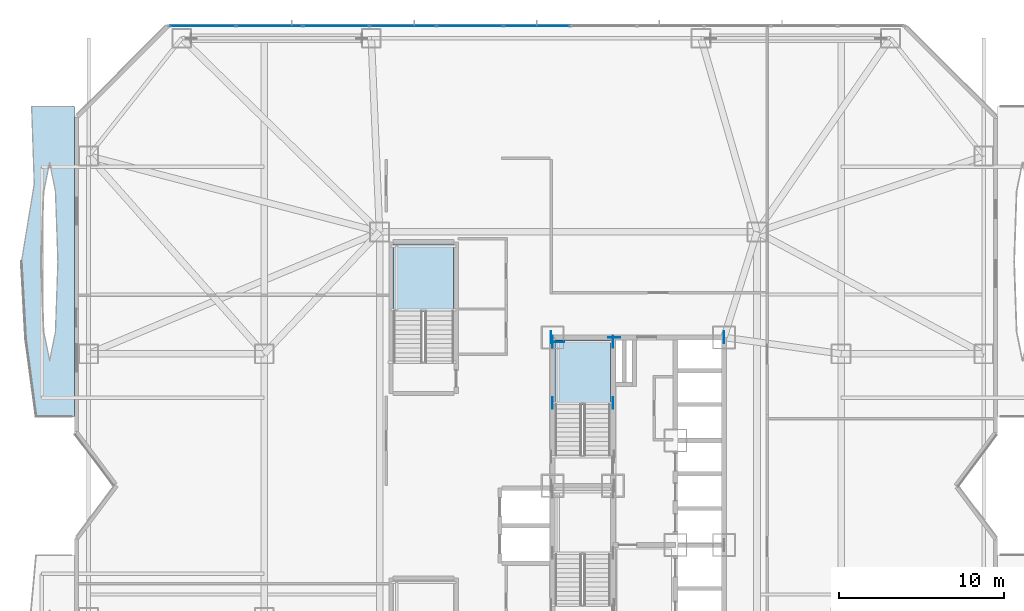
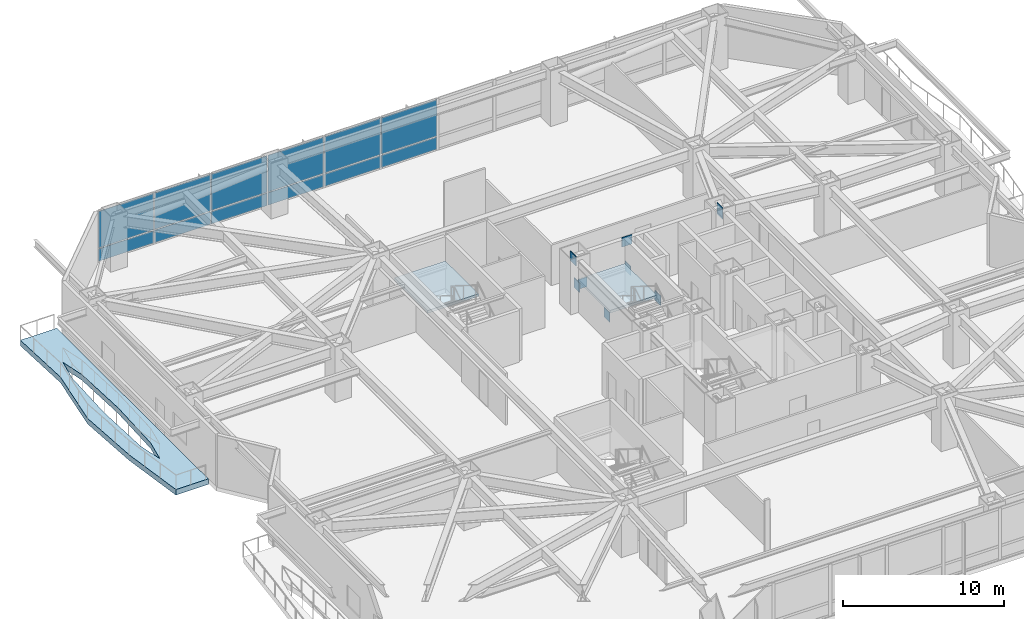
# One storey, part 19 of 32: 21 plates, 3 slabs, 3 elements without a shape of their own.
"""IFC4 building model written with IfcOpenShell, lengths in metres."""

import ifcopenshell
import ifcopenshell.guid

model = None  # the IFC model being written
_history = None  # IfcOwnerHistory: only IFC2X3 demands one
_inside = {}  # id of a spatial element -> (the spatial element, [elements in it])
_under = {}  # id of a project, library or spatial element -> (it, [spatial elements below it])
_declared = {}  # id of a project -> (the project, [libraries it declares])
_typed = {}  # id of a type object -> (the type object, [elements of that type])
_made_of = {}  # id of a material, layer set ... -> (it, [elements and type objects made of it])


def new_model(schema):
    """Start an empty IFC model of exactly this schema.

    Asked for "IFC4X3", IfcOpenShell would pick the latest addendum, in which some entities
    have other attributes; the version numbers below select the first issue.
    IFC2X3 requires an IfcOwnerHistory on every rooted entity: one is made here for all.
    """
    global model, _history
    if schema == "IFC4X3":
        model = ifcopenshell.file(schema_version=(4, 3, 0, 0))
    else:
        model = ifcopenshell.file(schema=schema)
    _inside.clear()
    _under.clear()
    _declared.clear()
    _typed.clear()
    _made_of.clear()
    _history = None
    if model.schema == "IFC2X3":
        org = make("IfcOrganization", Name="unknown")
        user = make(
            "IfcPersonAndOrganization",
            ThePerson=make("IfcPerson", FamilyName="unknown"),
            TheOrganization=org,
        )
        app = make(
            "IfcApplication",
            ApplicationDeveloper=org,
            Version="unknown",
            ApplicationFullName="unknown",
            ApplicationIdentifier="unknown",
        )
        _history = make(
            "IfcOwnerHistory",
            OwningUser=user,
            OwningApplication=app,
            ChangeAction="ADDED",
            CreationDate=0,
        )
    return model


def make(cls, **values):
    """One entity of the class cls with the attributes given. An attribute that is None is left unset."""
    return model.create_entity(
        cls, **{name: value for name, value in values.items() if value is not None}
    )


def rooted(cls, **values):
    """An entity with a GlobalId (a new one), such as an element, a storey or a relation."""
    return make(cls, GlobalId=ifcopenshell.guid.new(), OwnerHistory=_history, **values)


def si_unit(unit_type, name, prefix=None):
    """IfcSIUnit, for example si_unit("LENGTHUNIT", "METRE", prefix="MILLI")."""
    return make("IfcSIUnit", UnitType=unit_type, Prefix=prefix, Name=name)


def assignment(units):
    """IfcUnitAssignment: the units of a project."""
    return None if units is None else make("IfcUnitAssignment", Units=units)


def point(xyz):
    """IfcCartesianPoint."""
    return None if xyz is None else make("IfcCartesianPoint", Coordinates=xyz)


def direction(xyz):
    """IfcDirection."""
    return None if xyz is None else make("IfcDirection", DirectionRatios=xyz)


def frame(location, z_axis=None, x_axis=None):
    """IfcAxis2Placement3D, a coordinate frame: its origin and axes. An axis left out is left unset."""
    return make(
        "IfcAxis2Placement3D",
        Location=point(location),
        Axis=direction(z_axis),
        RefDirection=direction(x_axis),
    )


def frame_2d(location, x_axis=None):
    """IfcAxis2Placement2D, a coordinate frame in the plane: its origin and x axis."""
    return make(
        "IfcAxis2Placement2D", Location=point(location), RefDirection=direction(x_axis)
    )


def origin():
    """The frame at (0, 0, 0) with its axes left unset."""
    return frame((0.0, 0.0, 0.0))


def origin_2d():
    """The frame at (0, 0) in the plane with its x axis left unset."""
    return frame_2d((0.0, 0.0))


def place(relative_to, where):
    """IfcLocalPlacement: puts the frame where relative to a parent placement (None: the world)."""
    return make(
        "IfcLocalPlacement", PlacementRelTo=relative_to, RelativePlacement=where
    )


def context(
    kind, dimensions, precision=None, world=None, true_north=None, identifier=None
):
    """IfcGeometricRepresentationContext, for example the 3D "Model" context."""
    return make(
        "IfcGeometricRepresentationContext",
        ContextIdentifier=identifier,
        ContextType=kind,
        CoordinateSpaceDimension=dimensions,
        Precision=precision,
        WorldCoordinateSystem=world,
        TrueNorth=true_north,
    )


def subcontext(parent, identifier, kind, view, scale=None):
    """IfcGeometricRepresentationSubContext, for example "Body" below "Model"."""
    return make(
        "IfcGeometricRepresentationSubContext",
        ContextIdentifier=identifier,
        ContextType=kind,
        ParentContext=parent,
        TargetScale=scale,
        TargetView=view,
    )


def project(units=None, contexts=None):
    """IfcProject with its units and contexts."""
    return rooted(
        "IfcProject",
        Name="project",
        RepresentationContexts=contexts,
        UnitsInContext=assignment(units),
    )


def spatial(cls, under=None, at=None, **own):
    """A site, building, storey or space (cls), placed at a placement, below another one or the project."""
    s = rooted(cls, ObjectPlacement=at, **own)
    if under is not None:
        _under.setdefault(under.id(), (under, []))[1].append(s)
    return s


def polyline(points):
    """IfcPolyline through the points."""
    return make("IfcPolyline", Points=[point(p) for p in points])


def profile(cls, at=None, kind="AREA", **sizes):
    """A parametric profile (cls). Its sizes go by their IFC names, for example OverallWidth=200.0."""
    return make(cls, ProfileType=kind, Position=at, **sizes)


def rectangle(**sizes):
    """IfcRectangleProfileDef."""
    return profile("IfcRectangleProfileDef", **sizes)


def outline(outer, holes=None, kind="AREA"):
    """IfcArbitraryClosedProfileDef: a profile drawn as a closed curve; with holes, ...WithVoids."""
    if holes is None:
        return make("IfcArbitraryClosedProfileDef", ProfileType=kind, OuterCurve=outer)
    return make(
        "IfcArbitraryProfileDefWithVoids",
        ProfileType=kind,
        OuterCurve=outer,
        InnerCurves=holes,
    )


def extrude(swept, where, along, depth):
    """IfcExtrudedAreaSolid: the profile swept, set in the frame where, extruded along a direction by depth."""
    return make(
        "IfcExtrudedAreaSolid",
        SweptArea=swept,
        Position=where,
        ExtrudedDirection=direction(along),
        Depth=depth,
    )


def shape(context_of_items, identifier, shape_type, items):
    """IfcShapeRepresentation: the items that make up one representation, for example the "Body"."""
    return make(
        "IfcShapeRepresentation",
        ContextOfItems=context_of_items,
        RepresentationIdentifier=identifier,
        RepresentationType=shape_type,
        Items=items,
    )


def material(Name=None, Category=None):
    """IfcMaterial."""
    return make("IfcMaterial", Name=Name, Category=Category)


def layer(
    of_material, thickness, ventilated=None, Name=None, Category=None, Priority=None
):
    """IfcMaterialLayer: one layer of a wall or slab, of a material (None: an air gap)."""
    return make(
        "IfcMaterialLayer",
        Material=of_material,
        LayerThickness=thickness,
        IsVentilated=ventilated,
        Name=Name,
        Category=Category,
        Priority=Priority,
    )


def layer_set(layers, Name=None):
    """IfcMaterialLayerSet."""
    return make("IfcMaterialLayerSet", MaterialLayers=layers, LayerSetName=Name)


def made_of(thing, what):
    """Note that an element or type object is made of a material, layer set ...; save() writes the relation."""
    if what is not None:
        _made_of.setdefault(what.id(), (what, []))[1].append(thing)
    return thing


def type_object(cls, material=None, **own):
    """A type object (cls), such as IfcWallType, which elements share."""
    return made_of(rooted(cls, **own), material)


def element(
    cls,
    number,
    at=None,
    inside=None,
    cuts=None,
    type_object=None,
    material=None,
    context=None,
    identifier="Body",
    shape_type=None,
    held_by="IfcProductDefinitionShape",
    body=None,
    shapes=None,
    **own,
):
    """One element of the class cls, such as IfcWall. Its Tag is "e" and its number.

    at: its placement. inside: the storey or other place that contains it. cuts: it is an
    opening in that element (IfcRelVoidsElement). A single representation is given by context,
    identifier, shape_type and body (its items); several are given by shapes. held_by: the class
    of the entity that holds the representations. save() writes the other relations.
    """
    e = rooted(cls, Tag="e%d" % number, ObjectPlacement=at, **own)
    if body is not None:
        shapes = [shape(context, identifier, shape_type, body)]
    if shapes is not None:
        e.Representation = make(held_by, Representations=shapes)
    if inside is not None:
        _inside.setdefault(inside.id(), (inside, []))[1].append(e)
    if cuts is not None:
        rooted(
            "IfcRelVoidsElement", RelatingBuildingElement=cuts, RelatedOpeningElement=e
        )
    if type_object is not None:
        _typed.setdefault(type_object.id(), (type_object, []))[1].append(e)
    return made_of(e, material)


def aggregate(whole, parts):
    """IfcRelAggregates: a whole, such as a stair, and the parts it consists of."""
    return rooted("IfcRelAggregates", RelatingObject=whole, RelatedObjects=parts)


def save(model, path):
    """Write the relations noted so far, then the file.

    IfcRelAggregates (storeys below a building ...), IfcRelContainedInSpatialStructure (elements
    in a storey), IfcRelDefinesByType, IfcRelAssociatesMaterial and IfcRelDeclares: one each for
    every whole, place, type object, material and project.
    """
    for whole, parts in _under.values():
        aggregate(whole, parts)
    for where, things in _inside.values():
        rooted(
            "IfcRelContainedInSpatialStructure",
            RelatedElements=things,
            RelatingStructure=where,
        )
    for kind, things in _typed.values():
        rooted("IfcRelDefinesByType", RelatedObjects=things, RelatingType=kind)
    for what, things in _made_of.values():
        rooted("IfcRelAssociatesMaterial", RelatedObjects=things, RelatingMaterial=what)
    for by, libraries in _declared.values():
        rooted("IfcRelDeclares", RelatingContext=by, RelatedDefinitions=libraries)
    model.write(path)


model = new_model("IFC4")

# Units and contexts
model_context = context("Model", 3, precision=1e-05, world=origin(), true_north=direction((0.0, 1.0)))
body_context = subcontext(model_context, "Body", "Model", "MODEL_VIEW")
ifc_project = project(units=[si_unit("LENGTHUNIT", "METRE"), si_unit("AREAUNIT", "SQUARE_METRE"), si_unit("VOLUMEUNIT", "CUBIC_METRE"), si_unit("PLANEANGLEUNIT", "RADIAN"), si_unit("MASSUNIT", "GRAM", prefix="KILO")], contexts=[model_context])

# Site, building, storey
site_placement = place(None, origin())
site = spatial("IfcSite", under=ifc_project, at=site_placement, CompositionType="ELEMENT")
building_placement = place(site_placement, origin())
building = spatial("IfcBuilding", under=site, at=building_placement, Name="Khamvora Tower", CompositionType="ELEMENT")
storey_placement = place(building_placement, frame((0.0, 0.0, 12.0)))
storey = spatial("IfcBuildingStorey", under=building, at=storey_placement, Name="L02", CompositionType="ELEMENT", Elevation=12.0)

# Curtain wall, plates
ifc_material_1 = material(Name="Anodised Aluminium 6063-T6", Category="aluminium")
curtain_wall_type = type_object("IfcCurtainWallType", Name="CW-SYS-01", PredefinedType="NOTDEFINED", material=ifc_material_1)
curtain_wall_placement = place(storey_placement, origin())
curtain_wall = element("IfcCurtainWall", 1, at=curtain_wall_placement, inside=storey, type_object=curtain_wall_type, Name="L02 stick curtain wall 07.1", PredefinedType="NOTDEFINED")
ifc_material_2 = material(Name="Low-E Laminated Double Glazing", Category="glass")
ifc_layer_1 = layer(ifc_material_2, 0.035888671875)
ifc_layer_set_1 = layer_set([ifc_layer_1], Name="Low-E Laminated Double Glazing")
plate_type_1 = type_object("IfcPlateType", Name="CW-SYS-01-PNL", PredefinedType="CURTAIN_PANEL", material=ifc_layer_set_1)
plate_1_placement = place(storey_placement, frame((7.774169921875, 55.8798828125, 0.074951171875), z_axis=(0.0, 0.0, 1.0), x_axis=(1.0, 0.0, 0.0)))
plate_1 = element("IfcPlate", 2, at=plate_1_placement, type_object=plate_type_1, Name="CW-01 panel 1.1", PredefinedType="CURTAIN_PANEL", context=body_context, shape_type="SweptSolid", body=[
    extrude(rectangle(XDim=3.944091796875, YDim=0.035888671875, at=origin_2d()), origin(), (0.0, 0.0, 1.0), 0.9375),
])
plate_2_placement = place(storey_placement, frame((7.774169921875, 55.8798828125, 1.08740234375), z_axis=(0.0, 0.0, 1.0), x_axis=(1.0, 0.0, 0.0)))
plate_2 = element("IfcPlate", 3, at=plate_2_placement, type_object=plate_type_1, Name="CW-01 panel 1.2", PredefinedType="CURTAIN_PANEL", context=body_context, shape_type="SweptSolid", body=[
    extrude(rectangle(XDim=3.944091796875, YDim=0.035888671875, at=origin_2d()), origin(), (0.0, 0.0, 1.0), 2.757568359375),
])
plate_3_placement = place(storey_placement, frame((11.81201171875, 55.8798828125, 0.074951171875), z_axis=(0.0, 0.0, 1.0), x_axis=(1.0, 0.0, 0.0)))
plate_3 = element("IfcPlate", 4, at=plate_3_placement, type_object=plate_type_1, Name="CW-01 panel 2.1", PredefinedType="CURTAIN_PANEL", context=body_context, shape_type="SweptSolid", body=[
    extrude(rectangle(XDim=3.981689453125, YDim=0.035888671875, at=origin_2d()), origin(), (0.0, 0.0, 1.0), 0.9375),
])
plate_4_placement = place(storey_placement, frame((11.81201171875, 55.8798828125, 1.08740234375), z_axis=(0.0, 0.0, 1.0), x_axis=(1.0, 0.0, 0.0)))
plate_4 = element("IfcPlate", 5, at=plate_4_placement, type_object=plate_type_1, Name="CW-01 panel 2.2", PredefinedType="CURTAIN_PANEL", context=body_context, shape_type="SweptSolid", body=[
    extrude(rectangle(XDim=3.981689453125, YDim=0.035888671875, at=origin_2d()), origin(), (0.0, 0.0, 1.0), 2.757568359375),
])
plate_5_placement = place(storey_placement, frame((15.86865234375, 55.8798828125, 0.074951171875), z_axis=(0.0, 0.0, 1.0), x_axis=(1.0, 0.0, 0.0)))
plate_5 = element("IfcPlate", 6, at=plate_5_placement, type_object=plate_type_1, Name="CW-01 panel 3.1", PredefinedType="CURTAIN_PANEL", context=body_context, shape_type="SweptSolid", body=[
    extrude(rectangle(XDim=3.981689453125, YDim=0.035888671875, at=origin_2d()), origin(), (0.0, 0.0, 1.0), 0.9375),
])
plate_6_placement = place(storey_placement, frame((15.86865234375, 55.8798828125, 1.08740234375), z_axis=(0.0, 0.0, 1.0), x_axis=(1.0, 0.0, 0.0)))
plate_6 = element("IfcPlate", 7, at=plate_6_placement, type_object=plate_type_1, Name="CW-01 panel 3.2", PredefinedType="CURTAIN_PANEL", context=body_context, shape_type="SweptSolid", body=[
    extrude(rectangle(XDim=3.981689453125, YDim=0.035888671875, at=origin_2d()), origin(), (0.0, 0.0, 1.0), 2.757568359375),
])
plate_7_placement = place(storey_placement, frame((19.92529296875, 55.8798828125, 0.074951171875), z_axis=(0.0, 0.0, 1.0), x_axis=(1.0, 0.0, 0.0)))
plate_7 = element("IfcPlate", 8, at=plate_7_placement, type_object=plate_type_1, Name="CW-01 panel 4.1", PredefinedType="CURTAIN_PANEL", context=body_context, shape_type="SweptSolid", body=[
    extrude(rectangle(XDim=3.981689453125, YDim=0.035888671875, at=origin_2d()), origin(), (0.0, 0.0, 1.0), 0.9375),
])
plate_8_placement = place(storey_placement, frame((19.92529296875, 55.8798828125, 1.08740234375), z_axis=(0.0, 0.0, 1.0), x_axis=(1.0, 0.0, 0.0)))
plate_8 = element("IfcPlate", 9, at=plate_8_placement, type_object=plate_type_1, Name="CW-01 panel 4.2", PredefinedType="CURTAIN_PANEL", context=body_context, shape_type="SweptSolid", body=[
    extrude(rectangle(XDim=3.981689453125, YDim=0.035888671875, at=origin_2d()), origin(), (0.0, 0.0, 1.0), 2.757568359375),
])
plate_9_placement = place(storey_placement, frame((23.98193359375, 55.8798828125, 0.074951171875), z_axis=(0.0, 0.0, 1.0), x_axis=(1.0, 0.0, 0.0)))
plate_9 = element("IfcPlate", 10, at=plate_9_placement, type_object=plate_type_1, Name="CW-01 panel 5.1", PredefinedType="CURTAIN_PANEL", context=body_context, shape_type="SweptSolid", body=[
    extrude(rectangle(XDim=3.981689453125, YDim=0.035888671875, at=origin_2d()), origin(), (0.0, 0.0, 1.0), 0.9375),
])
plate_10_placement = place(storey_placement, frame((23.98193359375, 55.8798828125, 1.08740234375), z_axis=(0.0, 0.0, 1.0), x_axis=(1.0, 0.0, 0.0)))
plate_10 = element("IfcPlate", 11, at=plate_10_placement, type_object=plate_type_1, Name="CW-01 panel 5.2", PredefinedType="CURTAIN_PANEL", context=body_context, shape_type="SweptSolid", body=[
    extrude(rectangle(XDim=3.981689453125, YDim=0.035888671875, at=origin_2d()), origin(), (0.0, 0.0, 1.0), 2.757568359375),
])
plate_11_placement = place(storey_placement, frame((28.03857421875, 55.8798828125, 0.074951171875), z_axis=(0.0, 0.0, 1.0), x_axis=(1.0, 0.0, 0.0)))
plate_11 = element("IfcPlate", 12, at=plate_11_placement, type_object=plate_type_1, Name="CW-01 panel 6.1", PredefinedType="CURTAIN_PANEL", context=body_context, shape_type="SweptSolid", body=[
    extrude(rectangle(XDim=3.981689453125, YDim=0.035888671875, at=origin_2d()), origin(), (0.0, 0.0, 1.0), 0.9375),
])
plate_12_placement = place(storey_placement, frame((28.03857421875, 55.8798828125, 1.08740234375), z_axis=(0.0, 0.0, 1.0), x_axis=(1.0, 0.0, 0.0)))
plate_12 = element("IfcPlate", 13, at=plate_12_placement, type_object=plate_type_1, Name="CW-01 panel 6.2", PredefinedType="CURTAIN_PANEL", context=body_context, shape_type="SweptSolid", body=[
    extrude(rectangle(XDim=3.981689453125, YDim=0.035888671875, at=origin_2d()), origin(), (0.0, 0.0, 1.0), 2.757568359375),
])
aggregate(curtain_wall, [plate_1, plate_2, plate_3, plate_4, plate_5, plate_6, plate_7, plate_8, plate_9, plate_10, plate_11, plate_12])

# Plates
ifc_material_3 = material(Name="Steel S460", Category="steel")
ifc_layer_2 = layer(ifc_material_3, 0.034912109375)
ifc_layer_set_2 = layer_set([ifc_layer_2], Name="Steel S460")
plate_type_2 = type_object("IfcPlateType", Name="PL-EMB-35", PredefinedType="SHEET", material=ifc_layer_set_2)
for number, where, z_axis, x_axis, name in (
    (14, (29.0, 33.014892578125, 1.4091796875), (0.0, 0.0, 1.0), (1.0, 0.0, 0.0), "L02 core shear wall cast-in embed plate 0107"),
    (15, (32.64990234375, 33.014892578125, 1.4091796875), (0.0, 0.0, 1.0), (1.0, 0.0, 0.0), "L02 core shear wall cast-in embed plate 0108"),
    (16, (29.0, 36.72998046875, 1.4091796875), (0.0, 0.0, 1.0), (1.0, 0.0, 0.0), "L02 core shear wall cast-in embed plate 0109"),
    (17, (32.64990234375, 36.72998046875, 1.4091796875), (0.0, 0.0, 1.0), (1.0, 0.0, 0.0), "L02 core shear wall cast-in embed plate 0110"),
):
    element("IfcPlate", number, at=place(storey_placement, frame(where, z_axis=z_axis, x_axis=x_axis)), inside=storey, type_object=plate_type_2, Name=name, PredefinedType="SHEET", context=body_context, shape_type="SweptSolid", body=[
        extrude(rectangle(XDim=0.034912109375, YDim=0.719970703125, at=origin_2d()), origin(), (0.0, 0.0, 1.0), 0.719970703125),
    ])
plate_13_placement = place(storey_placement, frame((29.35009765625, 36.72998046875, 1.4091796875), z_axis=(0.0, 0.0, 1.0), x_axis=(1.0, 0.0, 0.0)))
element("IfcPlate", 18, at=plate_13_placement, inside=storey, type_object=plate_type_2, Name="L02 core shear wall cast-in embed plate 0111", PredefinedType="SHEET", context=body_context, shape_type="SweptSolid", body=[
    extrude(rectangle(XDim=0.719970703125, YDim=0.034912109375, at=origin_2d()), origin(), (0.0, 0.0, 1.0), 0.719970703125),
])
for number, where, z_axis, x_axis, name in (
    (19, (39.39990234375, 37.0, 3.1318359375), (0.0, 0.0, 1.0), (1.0, 0.0, 0.0), "L02 core shear wall cast-in embed plate 0113"),
    (20, (28.89990234375, 37.0, 3.29296875), (0.0, 0.0, 1.0), (1.0, 0.0, 0.0), "L02 core shear wall cast-in embed plate 0116"),
):
    element("IfcPlate", number, at=place(storey_placement, frame(where, z_axis=z_axis, x_axis=x_axis)), inside=storey, type_object=plate_type_2, Name=name, PredefinedType="SHEET", context=body_context, shape_type="SweptSolid", body=[
        extrude(rectangle(XDim=0.034912109375, YDim=0.719970703125, at=origin_2d()), origin(), (0.0, 0.0, 1.0), 0.719970703125),
    ])
plate_14_placement = place(storey_placement, frame((32.72998046875, 37.0, 3.29296875), z_axis=(0.0, 0.0, 1.0), x_axis=(1.0, 0.0, 0.0)))
element("IfcPlate", 21, at=plate_14_placement, inside=storey, type_object=plate_type_2, Name="L02 core shear wall cast-in embed plate 0119", PredefinedType="SHEET", context=body_context, shape_type="SweptSolid", body=[
    extrude(rectangle(XDim=0.719970703125, YDim=0.034912109375, at=origin_2d()), origin(), (0.0, 0.0, 1.0), 0.719970703125),
])
plate_15_placement = place(storey_placement, frame((39.39990234375, 37.0, 3.29296875), z_axis=(0.0, 0.0, 1.0), x_axis=(1.0, 0.0, 0.0)))
element("IfcPlate", 22, at=plate_15_placement, inside=storey, type_object=plate_type_2, Name="L02 core shear wall cast-in embed plate 0122", PredefinedType="SHEET", context=body_context, shape_type="SweptSolid", body=[
    extrude(rectangle(XDim=0.034912109375, YDim=0.719970703125, at=origin_2d()), origin(), (0.0, 0.0, 1.0), 0.719970703125),
])

# Slab
ifc_material_4 = material(Name="Concrete C40/50", Category="concrete")
ifc_layer_3 = layer(ifc_material_4, 0.419921875)
ifc_layer_set_3 = layer_set([ifc_layer_3], Name="Concrete C40/50")
slab_type_1 = type_object("IfcSlabType", Name="SLB-GRD-420", PredefinedType="FLOOR", material=ifc_layer_set_3)
slab_1_placement = place(storey_placement, frame((0.0, 0.0, -0.419921875)))
element("IfcSlab", 23, at=slab_1_placement, inside=storey, type_object=slab_type_1, Name="L02 external lens gallery slab WL2", PredefinedType="FLOOR", context=body_context, shape_type="SweptSolid", body=[
    extrude(outline(polyline([(0.0, 32.199951171875), (0.0, 51.0), (-2.60400390625, 51.0), (-2.445068359375, 46.300048828125), (-3.220947265625, 41.60009765625), (-2.9580078125, 36.89990234375), (-2.324951171875, 32.199951171875), (0.0, 32.199951171875)]), holes=[polyline([(-1.010986328125, 41.60009765625), (-1.158935546875, 45.85400390625), (-1.514892578125, 47.615966796875), (-1.87109375, 45.85400390625), (-2.01904296875, 41.60009765625), (-1.87109375, 37.345947265625), (-1.514892578125, 35.583984375), (-1.158935546875, 37.345947265625), (-1.010986328125, 41.60009765625)])]), origin(), (0.0, 0.0, 1.0), 0.419921875),
])

# Stair, slab
stair_type_1 = type_object("IfcStairType", Name="STR-ST-02", PredefinedType="HALF_TURN_STAIR", material=ifc_material_4)
stair_1_placement = place(storey_placement, origin())
stair_1 = element("IfcStair", 24, at=stair_1_placement, inside=storey, type_object=stair_type_1, Name="L02 North Tower Exit Stair ST-02", PredefinedType="HALF_TURN_STAIR")
ifc_layer_4 = layer(ifc_material_4, 0.199951171875)
ifc_layer_set_4 = layer_set([ifc_layer_4], Name="Concrete C40/50")
slab_type_2 = type_object("IfcSlabType", Name="SLB-LND-200", PredefinedType="LANDING", material=ifc_layer_set_4)
slab_2_placement = place(storey_placement, frame((0.0, 0.0, 1.89990234375)))
slab_2 = element("IfcSlab", 25, at=slab_2_placement, type_object=slab_type_2, Name="ST-02 landing 1", PredefinedType="LANDING", context=body_context, shape_type="SweptSolid", body=[
    extrude(outline(polyline([(32.5, 32.89501953125), (32.5, 36.85009765625), (29.14990234375, 36.85009765625), (29.14990234375, 32.89501953125), (32.5, 32.89501953125)])), origin(), (0.0, 0.0, 1.0), 0.2001953125),
])
aggregate(stair_1, [slab_2])

stair_type_2 = type_object("IfcStairType", Name="STR-ST-04", PredefinedType="HALF_TURN_STAIR", material=ifc_material_4)
stair_2_placement = place(storey_placement, origin())
stair_2 = element("IfcStair", 26, at=stair_2_placement, inside=storey, type_object=stair_type_2, Name="L02 North School Podium Stair ST-04", PredefinedType="HALF_TURN_STAIR")
slab_3_placement = place(storey_placement, frame((0.0, 0.0, 1.89990234375)))
slab_3 = element("IfcSlab", 27, at=slab_3_placement, type_object=slab_type_2, Name="ST-04 landing 1", PredefinedType="LANDING", context=body_context, shape_type="SweptSolid", body=[
    extrude(outline(polyline([(23.0, 38.544921875), (23.0, 42.64990234375), (19.35009765625, 42.64990234375), (19.35009765625, 38.544921875), (23.0, 38.544921875)])), origin(), (0.0, 0.0, 1.0), 0.2001953125),
])
aggregate(stair_2, [slab_3])

save(model, "model.ifc")
